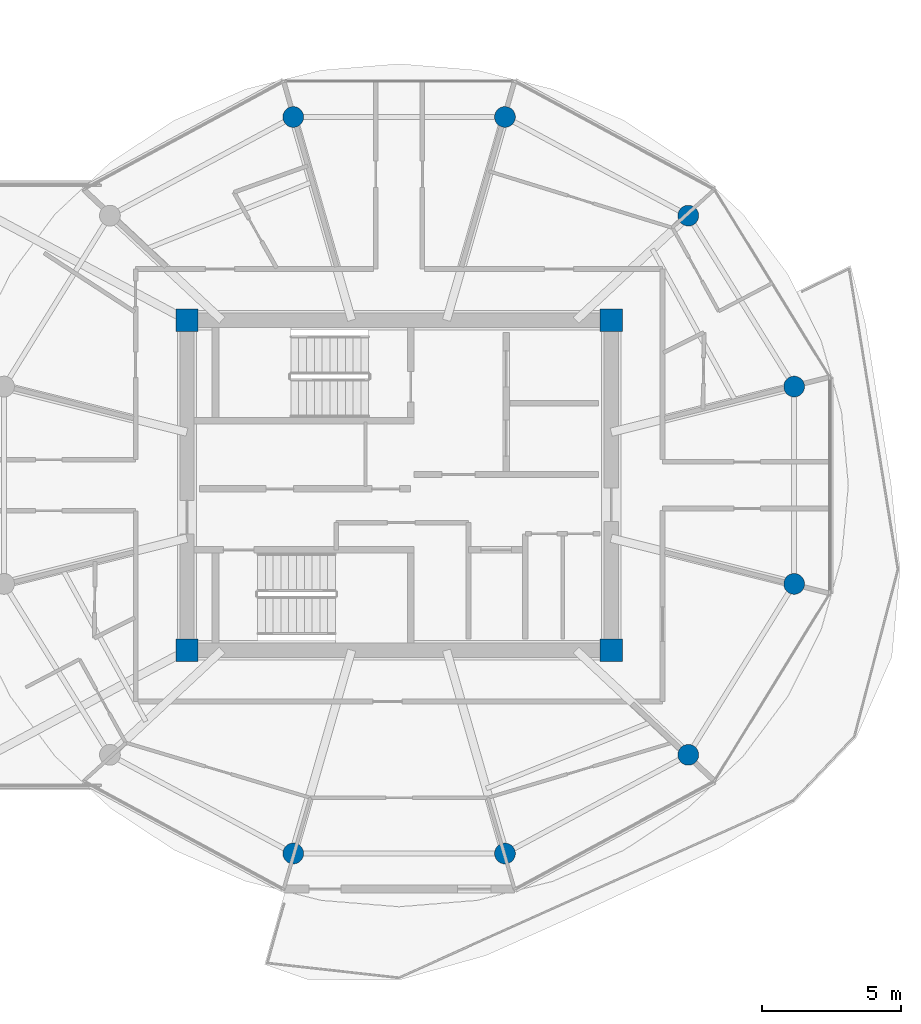
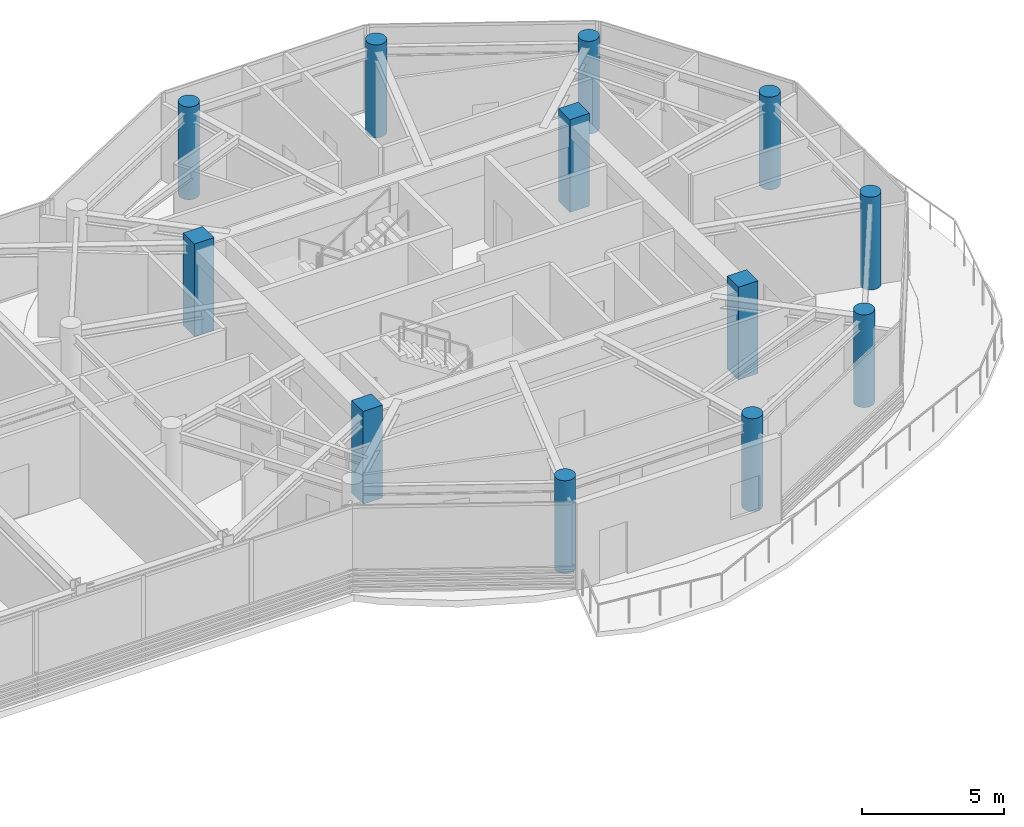
# One storey, part 2 of 24: 12 columns.
"""IFC4 building model written with IfcOpenShell, lengths in metres."""

from ifc_helpers import new_model, si_unit, direction, frame, origin, origin_2d, place, context, subcontext, project, spatial, rectangle, circle, extrude, source, transform, mapped, material, material_profile, profile_set, type_object, type_shapes, element, save


model = new_model("IFC4")

# Units and contexts
model_context = context("Model", 3, precision=1e-05, world=origin(), true_north=direction((0.0, 1.0)))
body_context = subcontext(model_context, "Body", "Model", "MODEL_VIEW")
ifc_project = project(units=[si_unit("LENGTHUNIT", "METRE"), si_unit("AREAUNIT", "SQUARE_METRE"), si_unit("VOLUMEUNIT", "CUBIC_METRE"), si_unit("PLANEANGLEUNIT", "RADIAN"), si_unit("MASSUNIT", "GRAM", prefix="KILO")], contexts=[model_context])

# Site, building, storey
site_placement = place(None, origin())
site = spatial("IfcSite", under=ifc_project, at=site_placement, CompositionType="ELEMENT")
building_placement = place(site_placement, origin())
building = spatial("IfcBuilding", under=site, at=building_placement, Name="Norrkilde Senior Care Towers", CompositionType="ELEMENT")
storey_placement = place(building_placement, frame((0.0, 0.0, 203.800048828125)))
storey = spatial("IfcBuildingStorey", under=building, at=storey_placement, Name="L63", CompositionType="ELEMENT", Elevation=203.800048828125)

# Columns
ifc_material_1 = material(Name="Concrete C60/75", Category="concrete")
ifc_material_profile_1 = material_profile(ifc_material_1, rectangle(XDim=0.800048828125, YDim=0.800048828125, at=origin_2d()), Name="RC COL 800x800")
ifc_profile_set_1 = profile_set([ifc_material_profile_1], Name="Concrete C60/75")
column_type_1 = type_object("IfcColumnType", Name="Column Core Corner Z3-Z4 800", PredefinedType="COLUMN", material=ifc_profile_set_1)
shared_shape_1 = source(origin(), body_context, "Body", "SweptSolid", [
    extrude(rectangle(XDim=0.800048828125, YDim=0.800048828125, at=origin_2d()), origin(), (0.0, 0.0, 1.0), 4.0),
])
type_shapes(column_type_1, [shared_shape_1])
for number, where, z_axis, x_axis, name in (
    (1, (20.35009765625, -5.949951171875, 0.0), (0.0, 0.0, 1.0), (1.0, 0.0, 0.0), "L63 Core E Corner Column 1"),
    (2, (35.64990234375, -5.949951171875, 0.0), (0.0, 0.0, 1.0), (1.0, 0.0, 0.0), "L63 Core E Corner Column 2"),
    (3, (35.64990234375, 5.949951171875, 0.0), (0.0, 0.0, 1.0), (1.0, 0.0, 0.0), "L63 Core E Corner Column 3"),
    (4, (20.35009765625, 5.949951171875, 0.0), (0.0, 0.0, 1.0), (1.0, 0.0, 0.0), "L63 Core E Corner Column 4"),
):
    element("IfcColumn", number, at=place(storey_placement, frame(where, z_axis=z_axis, x_axis=x_axis)), inside=storey, type_object=column_type_1, Name=name, PredefinedType="COLUMN", context=body_context, shape_type="MappedRepresentation", body=[
        mapped(shared_shape_1, transform((0.0, 0.0, 0.0), x_axis=(1.0, 0.0, 0.0), y_axis=(0.0, 1.0, 0.0), z_axis=(0.0, 0.0, 1.0), scale=1.0)),
    ])
ifc_material_2 = material(Name="Concrete C50/60", Category="concrete")
ifc_material_profile_2 = material_profile(ifc_material_2, circle(Radius=0.375, at=origin_2d()), Name="RC CIR 750")
ifc_profile_set_2 = profile_set([ifc_material_profile_2], Name="Concrete C50/60")
column_type_2 = type_object("IfcColumnType", Name="Column Perimeter Z4 750", PredefinedType="COLUMN", material=ifc_profile_set_2)
shared_shape_2 = source(origin(), body_context, "Body", "SweptSolid", [
    extrude(circle(Radius=0.375, at=origin_2d()), origin(), (0.0, 0.0, 1.0), 4.0),
])
type_shapes(column_type_2, [shared_shape_2])
for number, where, z_axis, x_axis, name in (
    (5, (42.247314453125, 3.558837890625, 0.0), (0.0, 0.0, 1.0), (1.0, 0.0, 0.0), "L63 Drum E Perimeter Column 01"),
    (6, (38.429931640625, 9.72265625, 0.0), (0.0, 0.0, 1.0), (1.0, 0.0, 0.0), "L63 Drum E Perimeter Column 02"),
    (7, (31.817626953125, 13.281494140625, 0.0), (0.0, 0.0, 1.0), (1.0, 0.0, 0.0), "L63 Drum E Perimeter Column 03"),
    (8, (24.182373046875, 13.281494140625, 0.0), (0.0, 0.0, 1.0), (1.0, 0.0, 0.0), "L63 Drum E Perimeter Column 04"),
    (9, (24.182373046875, -13.281494140625, 0.0), (0.0, 0.0, 1.0), (1.0, 0.0, 0.0), "L63 Drum E Perimeter Column 09"),
    (10, (31.817626953125, -13.281494140625, 0.0), (0.0, 0.0, 1.0), (1.0, 0.0, 0.0), "L63 Drum E Perimeter Column 10"),
    (11, (38.429931640625, -9.72265625, 0.0), (0.0, 0.0, 1.0), (1.0, 0.0, 0.0), "L63 Drum E Perimeter Column 11"),
    (12, (42.247314453125, -3.558837890625, 0.0), (0.0, 0.0, 1.0), (1.0, 0.0, 0.0), "L63 Drum E Perimeter Column 12"),
):
    element("IfcColumn", number, at=place(storey_placement, frame(where, z_axis=z_axis, x_axis=x_axis)), inside=storey, type_object=column_type_2, Name=name, PredefinedType="COLUMN", context=body_context, shape_type="MappedRepresentation", body=[
        mapped(shared_shape_2, transform((0.0, 0.0, 0.0), x_axis=(1.0, 0.0, 0.0), y_axis=(0.0, 1.0, 0.0), z_axis=(0.0, 0.0, 1.0), scale=1.0)),
    ])

save(model, "model.ifc")
